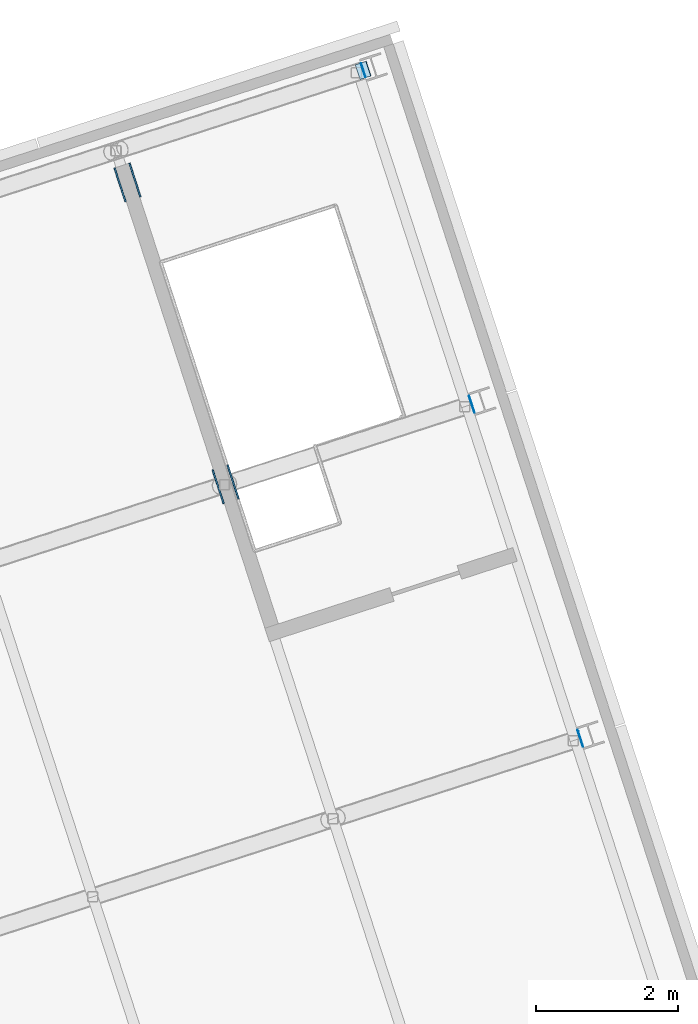
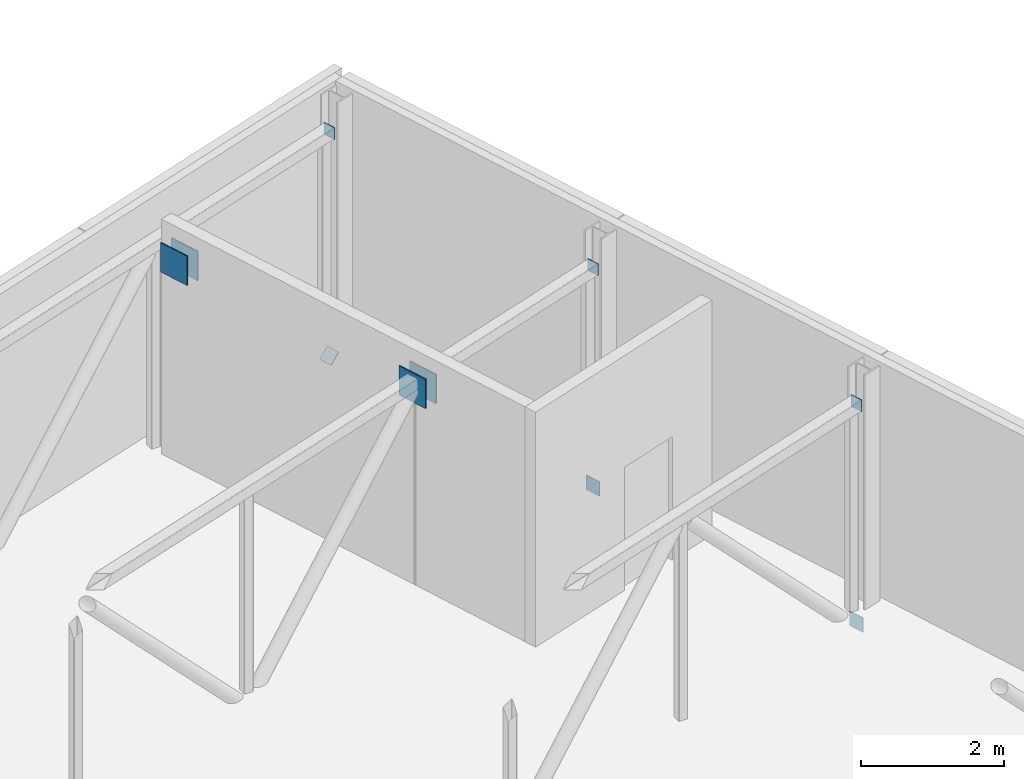
# One storey, part 45 of 52: 10 plates.
"""IFC4 building model written with IfcOpenShell, lengths in metres."""

import ifcopenshell
import ifcopenshell.guid

model = None  # the IFC model being written
_history = None  # IfcOwnerHistory: only IFC2X3 demands one
_inside = {}  # id of a spatial element -> (the spatial element, [elements in it])
_under = {}  # id of a project, library or spatial element -> (it, [spatial elements below it])
_declared = {}  # id of a project -> (the project, [libraries it declares])
_typed = {}  # id of a type object -> (the type object, [elements of that type])
_made_of = {}  # id of a material, layer set ... -> (it, [elements and type objects made of it])


def new_model(schema):
    """Start an empty IFC model of exactly this schema.

    Asked for "IFC4X3", IfcOpenShell would pick the latest addendum, in which some entities
    have other attributes; the version numbers below select the first issue.
    IFC2X3 requires an IfcOwnerHistory on every rooted entity: one is made here for all.
    """
    global model, _history
    if schema == "IFC4X3":
        model = ifcopenshell.file(schema_version=(4, 3, 0, 0))
    else:
        model = ifcopenshell.file(schema=schema)
    _inside.clear()
    _under.clear()
    _declared.clear()
    _typed.clear()
    _made_of.clear()
    _history = None
    if model.schema == "IFC2X3":
        org = make("IfcOrganization", Name="unknown")
        user = make(
            "IfcPersonAndOrganization",
            ThePerson=make("IfcPerson", FamilyName="unknown"),
            TheOrganization=org,
        )
        app = make(
            "IfcApplication",
            ApplicationDeveloper=org,
            Version="unknown",
            ApplicationFullName="unknown",
            ApplicationIdentifier="unknown",
        )
        _history = make(
            "IfcOwnerHistory",
            OwningUser=user,
            OwningApplication=app,
            ChangeAction="ADDED",
            CreationDate=0,
        )
    return model


def make(cls, **values):
    """One entity of the class cls with the attributes given. An attribute that is None is left unset."""
    return model.create_entity(
        cls, **{name: value for name, value in values.items() if value is not None}
    )


def rooted(cls, **values):
    """An entity with a GlobalId (a new one), such as an element, a storey or a relation."""
    return make(cls, GlobalId=ifcopenshell.guid.new(), OwnerHistory=_history, **values)


def si_unit(unit_type, name, prefix=None):
    """IfcSIUnit, for example si_unit("LENGTHUNIT", "METRE", prefix="MILLI")."""
    return make("IfcSIUnit", UnitType=unit_type, Prefix=prefix, Name=name)


def assignment(units):
    """IfcUnitAssignment: the units of a project."""
    return None if units is None else make("IfcUnitAssignment", Units=units)


def point(xyz):
    """IfcCartesianPoint."""
    return None if xyz is None else make("IfcCartesianPoint", Coordinates=xyz)


def direction(xyz):
    """IfcDirection."""
    return None if xyz is None else make("IfcDirection", DirectionRatios=xyz)


def frame(location, z_axis=None, x_axis=None):
    """IfcAxis2Placement3D, a coordinate frame: its origin and axes. An axis left out is left unset."""
    return make(
        "IfcAxis2Placement3D",
        Location=point(location),
        Axis=direction(z_axis),
        RefDirection=direction(x_axis),
    )


def origin():
    """The frame at (0, 0, 0) with its axes left unset."""
    return frame((0.0, 0.0, 0.0))


def place(relative_to, where):
    """IfcLocalPlacement: puts the frame where relative to a parent placement (None: the world)."""
    return make(
        "IfcLocalPlacement", PlacementRelTo=relative_to, RelativePlacement=where
    )


def context(
    kind, dimensions, precision=None, world=None, true_north=None, identifier=None
):
    """IfcGeometricRepresentationContext, for example the 3D "Model" context."""
    return make(
        "IfcGeometricRepresentationContext",
        ContextIdentifier=identifier,
        ContextType=kind,
        CoordinateSpaceDimension=dimensions,
        Precision=precision,
        WorldCoordinateSystem=world,
        TrueNorth=true_north,
    )


def subcontext(parent, identifier, kind, view, scale=None):
    """IfcGeometricRepresentationSubContext, for example "Body" below "Model"."""
    return make(
        "IfcGeometricRepresentationSubContext",
        ContextIdentifier=identifier,
        ContextType=kind,
        ParentContext=parent,
        TargetScale=scale,
        TargetView=view,
    )


def project(units=None, contexts=None):
    """IfcProject with its units and contexts."""
    return rooted(
        "IfcProject",
        Name="project",
        RepresentationContexts=contexts,
        UnitsInContext=assignment(units),
    )


def spatial(cls, under=None, at=None, **own):
    """A site, building, storey or space (cls), placed at a placement, below another one or the project."""
    s = rooted(cls, ObjectPlacement=at, **own)
    if under is not None:
        _under.setdefault(under.id(), (under, []))[1].append(s)
    return s


def polyline(points):
    """IfcPolyline through the points."""
    return make("IfcPolyline", Points=[point(p) for p in points])


def outline(outer, holes=None, kind="AREA"):
    """IfcArbitraryClosedProfileDef: a profile drawn as a closed curve; with holes, ...WithVoids."""
    if holes is None:
        return make("IfcArbitraryClosedProfileDef", ProfileType=kind, OuterCurve=outer)
    return make(
        "IfcArbitraryProfileDefWithVoids",
        ProfileType=kind,
        OuterCurve=outer,
        InnerCurves=holes,
    )


def extrude(swept, where, along, depth):
    """IfcExtrudedAreaSolid: the profile swept, set in the frame where, extruded along a direction by depth."""
    return make(
        "IfcExtrudedAreaSolid",
        SweptArea=swept,
        Position=where,
        ExtrudedDirection=direction(along),
        Depth=depth,
    )


def shape(context_of_items, identifier, shape_type, items):
    """IfcShapeRepresentation: the items that make up one representation, for example the "Body"."""
    return make(
        "IfcShapeRepresentation",
        ContextOfItems=context_of_items,
        RepresentationIdentifier=identifier,
        RepresentationType=shape_type,
        Items=items,
    )


def material(Name=None, Category=None):
    """IfcMaterial."""
    return make("IfcMaterial", Name=Name, Category=Category)


def layer(
    of_material, thickness, ventilated=None, Name=None, Category=None, Priority=None
):
    """IfcMaterialLayer: one layer of a wall or slab, of a material (None: an air gap)."""
    return make(
        "IfcMaterialLayer",
        Material=of_material,
        LayerThickness=thickness,
        IsVentilated=ventilated,
        Name=Name,
        Category=Category,
        Priority=Priority,
    )


def layer_set(layers, Name=None):
    """IfcMaterialLayerSet."""
    return make("IfcMaterialLayerSet", MaterialLayers=layers, LayerSetName=Name)


def made_of(thing, what):
    """Note that an element or type object is made of a material, layer set ...; save() writes the relation."""
    if what is not None:
        _made_of.setdefault(what.id(), (what, []))[1].append(thing)
    return thing


def type_object(cls, material=None, **own):
    """A type object (cls), such as IfcWallType, which elements share."""
    return made_of(rooted(cls, **own), material)


def element(
    cls,
    number,
    at=None,
    inside=None,
    cuts=None,
    type_object=None,
    material=None,
    context=None,
    identifier="Body",
    shape_type=None,
    held_by="IfcProductDefinitionShape",
    body=None,
    shapes=None,
    **own,
):
    """One element of the class cls, such as IfcWall. Its Tag is "e" and its number.

    at: its placement. inside: the storey or other place that contains it. cuts: it is an
    opening in that element (IfcRelVoidsElement). A single representation is given by context,
    identifier, shape_type and body (its items); several are given by shapes. held_by: the class
    of the entity that holds the representations. save() writes the other relations.
    """
    e = rooted(cls, Tag="e%d" % number, ObjectPlacement=at, **own)
    if body is not None:
        shapes = [shape(context, identifier, shape_type, body)]
    if shapes is not None:
        e.Representation = make(held_by, Representations=shapes)
    if inside is not None:
        _inside.setdefault(inside.id(), (inside, []))[1].append(e)
    if cuts is not None:
        rooted(
            "IfcRelVoidsElement", RelatingBuildingElement=cuts, RelatedOpeningElement=e
        )
    if type_object is not None:
        _typed.setdefault(type_object.id(), (type_object, []))[1].append(e)
    return made_of(e, material)


def aggregate(whole, parts):
    """IfcRelAggregates: a whole, such as a stair, and the parts it consists of."""
    return rooted("IfcRelAggregates", RelatingObject=whole, RelatedObjects=parts)


def save(model, path):
    """Write the relations noted so far, then the file.

    IfcRelAggregates (storeys below a building ...), IfcRelContainedInSpatialStructure (elements
    in a storey), IfcRelDefinesByType, IfcRelAssociatesMaterial and IfcRelDeclares: one each for
    every whole, place, type object, material and project.
    """
    for whole, parts in _under.values():
        aggregate(whole, parts)
    for where, things in _inside.values():
        rooted(
            "IfcRelContainedInSpatialStructure",
            RelatedElements=things,
            RelatingStructure=where,
        )
    for kind, things in _typed.values():
        rooted("IfcRelDefinesByType", RelatedObjects=things, RelatingType=kind)
    for what, things in _made_of.values():
        rooted("IfcRelAssociatesMaterial", RelatedObjects=things, RelatingMaterial=what)
    for by, libraries in _declared.values():
        rooted("IfcRelDeclares", RelatingContext=by, RelatedDefinitions=libraries)
    model.write(path)


model = new_model("IFC4")

# Units and contexts
model_context = context("Model", 3, precision=1e-05, world=origin(), true_north=direction((0.0, 1.0)))
body_context = subcontext(model_context, "Body", "Model", "MODEL_VIEW")
ifc_project = project(units=[si_unit("LENGTHUNIT", "METRE"), si_unit("AREAUNIT", "SQUARE_METRE"), si_unit("VOLUMEUNIT", "CUBIC_METRE"), si_unit("PLANEANGLEUNIT", "RADIAN"), si_unit("MASSUNIT", "GRAM", prefix="KILO")], contexts=[model_context])

# Site, building, storey
site_placement = place(None, origin())
site = spatial("IfcSite", under=ifc_project, at=site_placement, CompositionType="ELEMENT")
building_placement = place(site_placement, origin())
building = spatial("IfcBuilding", under=site, at=building_placement, Name="Tuart Plaza Theatre", CompositionType="ELEMENT")
storey_placement = place(building_placement, frame((0.0, 0.0, 25.5)))
storey = spatial("IfcBuildingStorey", under=building, at=storey_placement, Name="L06", CompositionType="ELEMENT", Elevation=25.5)

# Plates
ifc_material_1 = material(Name="Steel Grade 300", Category="steel")
ifc_layer_1 = layer(ifc_material_1, 0.02001953125)
ifc_layer_set_1 = layer_set([ifc_layer_1], Name="PLATE Cast-in 20 Steel Grade 300")
plate_type_1 = type_object("IfcPlateType", Name="PLATE Cast-in 20 Steel Grade 300", PredefinedType="SHEET", material=ifc_layer_set_1)
plate_1_placement = place(storey_placement, frame((60.62646484375, 90.455322265625, 3.60986328125), z_axis=(-0.951191832008, -0.308600224758, 0.0), x_axis=(-0.308600224758, 0.951191832008, 0.0)))
element("IfcPlate", 1, at=plate_1_placement, inside=storey, type_object=plate_type_1, Name="CI13", PredefinedType="SHEET", context=body_context, shape_type="SweptSolid", body=[
    extrude(outline(polyline([(0.0, 0.0), (0.4999895094724684, 0.0), (0.4999895094724684, 0.5), (0.0, 0.5), (0.0, 0.0)])), origin(), (0.0, 0.0, -1.0), 0.02001953125),
])
plate_2_placement = place(storey_placement, frame((60.854736328125, 90.529541015625, 3.0751953125), z_axis=(0.951048418938, 0.309041914367, 0.0), x_axis=(-0.309041914367, 0.951048418938, 0.0)))
element("IfcPlate", 2, at=plate_2_placement, inside=storey, type_object=plate_type_1, Name="CI14", PredefinedType="SHEET", context=body_context, shape_type="SweptSolid", body=[
    extrude(outline(polyline([(0.0, 0.0), (0.5000649052454695, 0.0), (0.5000649052454695, 0.5), (0.0, 0.5), (0.0, 0.0)])), origin(), (0.0, 0.0, -1.0), 0.02001953125),
])
plate_3_placement = place(storey_placement, frame((59.24365234375, 94.71142578125, 3.60986328125), z_axis=(-0.951001758265, -0.309185471485, 0.0), x_axis=(-0.309185471485, 0.951001758265, 0.0)))
element("IfcPlate", 3, at=plate_3_placement, inside=storey, type_object=plate_type_1, Name="CI17", PredefinedType="SHEET", context=body_context, shape_type="SweptSolid", body=[
    extrude(outline(polyline([(0.0, 0.0), (0.4998327213846251, 0.0), (0.4998327213846251, 0.5), (0.0, 0.5), (0.0, 0.0)])), origin(), (0.0, 0.0, -1.0), 0.02001953125),
])
plate_4_placement = place(storey_placement, frame((59.471923828125, 94.785400390625, 3.0751953125), z_axis=(0.951048418938, 0.309041914367, 0.0), x_axis=(-0.309041914367, 0.951048418938, 0.0)))
element("IfcPlate", 4, at=plate_4_placement, inside=storey, type_object=plate_type_1, Name="CI18", PredefinedType="SHEET", context=body_context, shape_type="SweptSolid", body=[
    extrude(outline(polyline([(0.0, 0.0), (0.5000649052454695, 0.0), (0.5000649052454695, 0.5), (0.0, 0.5), (0.0, 0.0)])), origin(), (0.0, 0.0, -1.0), 0.02001953125),
])
ifc_material_2 = material(Name="Steel Grade C350L0", Category="steel")
ifc_layer_2 = layer(ifc_material_2, 0.010009765625)
ifc_layer_set_2 = layer_set([ifc_layer_2], Name="PLATE End cap 10 Steel Grade C350L0")
plate_type_2 = type_object("IfcPlateType", Name="PLATE End cap 10 Steel Grade C350L0", PredefinedType="SHEET", material=ifc_layer_set_2)
plate_5_placement = place(storey_placement, frame((65.707275390625, 87.032958984375, -0.39990234375), z_axis=(0.951191832008, 0.308600224758, 0.0), x_axis=(-0.308600224758, 0.951191832008, 0.0)))
element("IfcPlate", 5, at=plate_5_placement, inside=storey, type_object=plate_type_2, Name="EP6", PredefinedType="SHEET", context=body_context, shape_type="SweptSolid", body=[
    extrude(outline(polyline([(0.0, 0.0), (0.2499947547362342, 0.0), (0.2499947547362342, 0.25), (0.0, 0.25), (0.0, 0.0)])), origin(), (0.0, 0.0, -1.0), 0.010009765625),
])
plate_6_placement = place(storey_placement, frame((65.69970703125, 87.056640625, 3.346923828125), z_axis=(0.950737659293, 0.309996618049, 0.0), x_axis=(-0.309996618049, 0.950737659293, 0.0)))
element("IfcPlate", 6, at=plate_6_placement, inside=storey, type_object=plate_type_2, Name="EP8", PredefinedType="SHEET", context=body_context, shape_type="SweptSolid", body=[
    extrude(outline(polyline([(0.0, 0.0), (0.2000399847592274, 0.0), (0.2000399847592274, 0.2001953125), (0.0, 0.2001953125), (0.0, 0.0)])), origin(), (0.0, 0.0, -1.0), 0.010009765625),
])
plate_7_placement = place(storey_placement, frame((64.177734375, 91.74072265625, -0.39990234375), z_axis=(0.95090484413, 0.309483404096, 0.0), x_axis=(-0.309483404096, 0.95090484413, 0.0)))
element("IfcPlate", 7, at=plate_7_placement, inside=storey, type_object=plate_type_2, Name="EP10", PredefinedType="SHEET", context=body_context, shape_type="SweptSolid", body=[
    extrude(outline(polyline([(0.0, 0.0), (0.25007020441422584, 0.0), (0.25007020441422584, 0.25), (0.0, 0.25), (0.0, 0.0)])), origin(), (0.0, 0.0, -1.0), 0.010009765625),
])
for number, where, z_axis, x_axis, name in (
    (8, (64.169921875, 91.764404296875, 3.346923828125), (0.951096855055, 0.308892816854, 0.0), (-0.308892816854, 0.951096855055, 0.0), "EP12"),
    (9, (62.640380859375, 96.47216796875, 3.346923828125), (0.951096855055, 0.308892816854, 0.0), (-0.308892816854, 0.951096855055, 0.0), "EP15"),
):
    element("IfcPlate", number, at=place(storey_placement, frame(where, z_axis=z_axis, x_axis=x_axis)), inside=storey, type_object=plate_type_2, Name=name, PredefinedType="SHEET", context=body_context, shape_type="SweptSolid", body=[
        extrude(outline(polyline([(0.0, 0.0), (0.1999644367070575, 0.0), (0.1999644367070575, 0.20019531250000006), (0.0, 0.20019531250000006), (0.0, 0.0)])), origin(), (0.0, 0.0, -1.0), 0.010009765625),
    ])
plate_8_placement = place(storey_placement, frame((62.55859375, 96.435546875, -0.455322265625), z_axis=(-0.657849623679, -0.213887838982, 0.722139782148), x_axis=(-0.309547712289, 0.950883847128, -0.000350839078)))
element("IfcPlate", 10, at=plate_8_placement, inside=storey, type_object=plate_type_2, Name="EP16", PredefinedType="SHEET", context=body_context, shape_type="SweptSolid", body=[
    extrude(outline(polyline([(0.0, 0.0), (0.21903276016024548, 6.938893903907228e-18), (0.219012946615995, -0.21928270102298597), (-0.00017638974904504888, -0.21906044430158136), (0.0, 0.0)])), origin(), (0.0, 0.0, -1.0), 0.010009765625),
])

save(model, "model.ifc")
